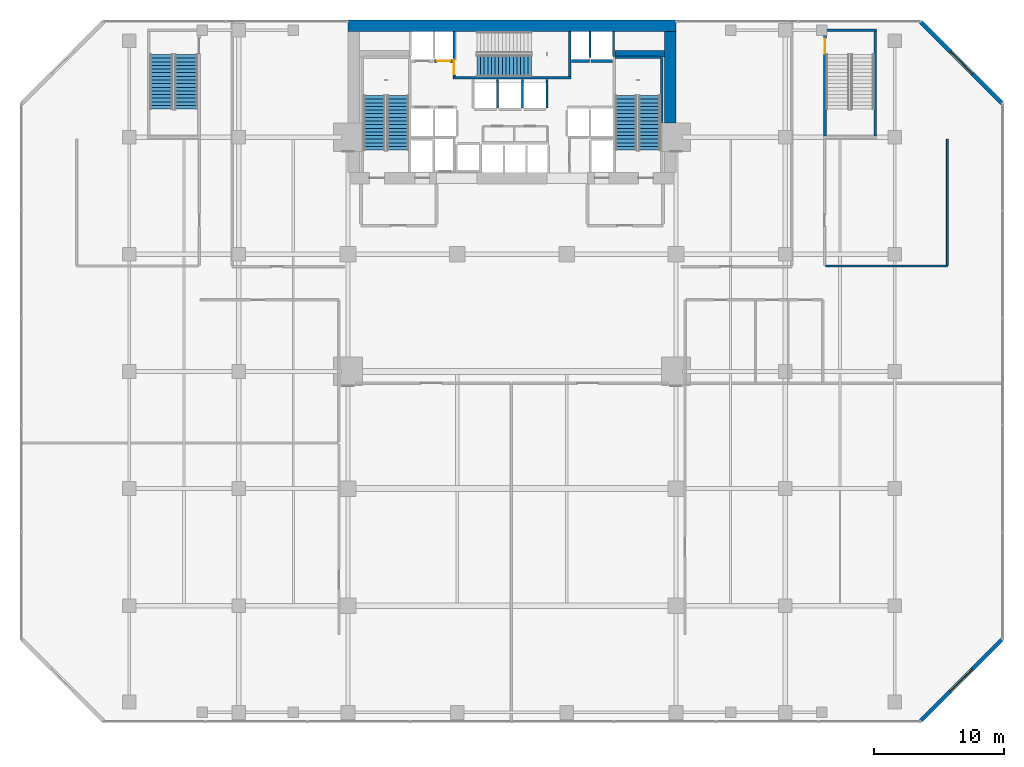
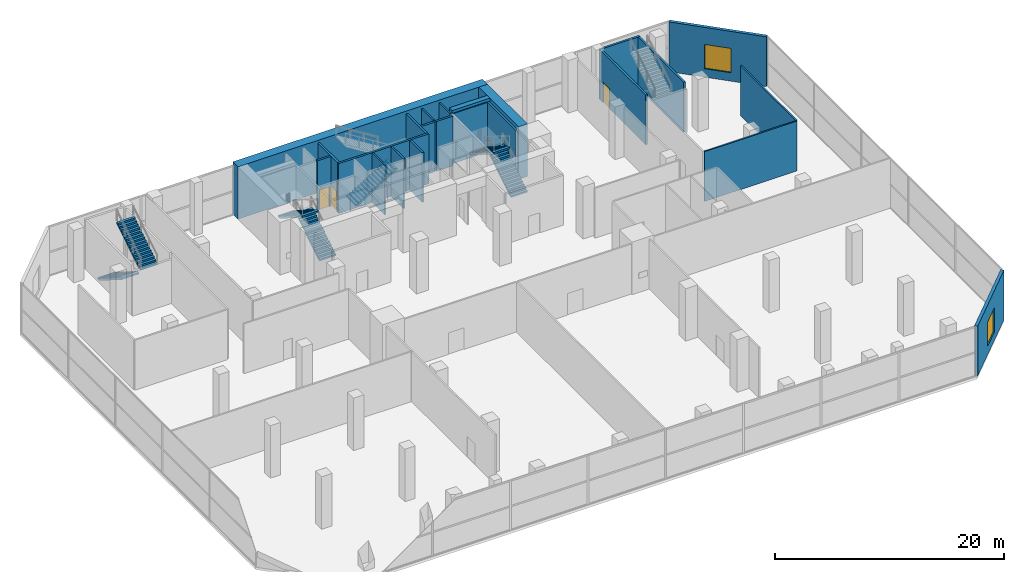
# One storey, part 37 of 40: 23 walls, 7 stair flights, 3 doors, 2 windows, 5 openings, 4 elements without a shape of their own.
"""IFC4 building model written with IfcOpenShell, lengths in metres."""

from ifc_helpers import new_model, si_unit, direction, frame, frame_2d, origin, place, context, subcontext, project, spatial, polyline, rectangle, outline, extrude, material, layer, layer_set, type_object, element, fill, aggregate, save


model = new_model("IFC4")

# Units and contexts
model_context = context("Model", 3, precision=1e-05, world=origin(), true_north=direction((0.0, 1.0)))
body_context = subcontext(model_context, "Body", "Model", "MODEL_VIEW")
ifc_project = project(units=[si_unit("LENGTHUNIT", "METRE"), si_unit("AREAUNIT", "SQUARE_METRE"), si_unit("VOLUMEUNIT", "CUBIC_METRE"), si_unit("PLANEANGLEUNIT", "RADIAN"), si_unit("MASSUNIT", "GRAM", prefix="KILO")], contexts=[model_context])

# Site, building, storey
site_placement = place(None, origin())
site = spatial("IfcSite", under=ifc_project, at=site_placement, CompositionType="ELEMENT")
building_placement = place(site_placement, origin())
building = spatial("IfcBuilding", under=site, at=building_placement, Name="Maruvema Waterfront Hotel and Observation Tower", CompositionType="ELEMENT")
storey_placement = place(building_placement, frame((0.0, 0.0, 10.85009765625)))
storey = spatial("IfcBuildingStorey", under=building, at=storey_placement, Name="L02", CompositionType="ELEMENT", Elevation=10.85009765625)

# Walls
ifc_material_1 = material(Name="Twin-stud acoustic gypsum drywall", Category="gypsum")
ifc_layer_1 = layer(ifc_material_1, 0.14990234375, Name="Acoustic Corridor and Suite Demising Wall 150 mm")
ifc_layer_set_1 = layer_set([ifc_layer_1], Name="Twin-stud acoustic gypsum drywall")
wall_type_1 = type_object("IfcWallType", Name="Acoustic Corridor and Suite Demising Wall 150 mm", PredefinedType="PARTITIONING", material=ifc_layer_set_1)
wall_1_placement = place(storey_placement, frame((61.89990234375, 35.10009765625, 0.0), z_axis=(0.0, 0.0, 1.0), x_axis=(1.0, 0.0, 0.0)))
element("IfcWall", 1, at=wall_1_placement, inside=storey, type_object=wall_type_1, Name="L02 L02 AV South Wall 041", PredefinedType="PARTITIONING", context=body_context, shape_type="SweptSolid", body=[
    extrude(rectangle(XDim=9.35009765625, YDim=0.14990234375, at=frame_2d((4.675048828125, 0.0))), origin(), (0.0, 0.0, 1.0), 5.31982421875),
])
wall_2_placement = place(storey_placement, frame((71.25, 35.14990234375, 0.0), z_axis=(0.0, 0.0, 1.0), x_axis=(0.0, 1.0, 0.0)))
element("IfcWall", 2, at=wall_2_placement, inside=storey, type_object=wall_type_1, Name="L02 L02 AV East Wall 042", PredefinedType="PARTITIONING", context=body_context, shape_type="SweptSolid", body=[
    extrude(rectangle(XDim=9.7001953125, YDim=0.14990234375, at=frame_2d((4.85009765625, 0.0))), origin(), (0.0, 0.0, 1.0), 5.31982421875),
])
ifc_material_2 = material(Name="Precast concrete C45/55", Category="concrete")
ifc_layer_2 = layer(ifc_material_2, 0.199951171875, Name="Core Shaft and Stairwell Enclosure Wall 200 mm")
ifc_layer_set_2 = layer_set([ifc_layer_2], Name="Precast concrete C45/55")
wall_type_2 = type_object("IfcWallType", Name="Core Shaft and Stairwell Enclosure Wall 200 mm", PredefinedType="SOLIDWALL", material=ifc_layer_set_2)
wall_3_placement = place(storey_placement, frame((33.25, 49.550048828125, 0.0), z_axis=(0.0, 0.0, 1.0), x_axis=(1.0, 0.0, 0.0)))
element("IfcWall", 3, at=wall_3_placement, inside=storey, type_object=wall_type_2, Name="L02 Stairwell ST-02 Shaft Wall", PredefinedType="SOLIDWALL", context=body_context, shape_type="SweptSolid", body=[
    extrude(rectangle(XDim=9.10009765625, YDim=0.199951171875, at=frame_2d((4.550048828125, 0.0))), origin(), (0.0, 0.0, 1.0), 5.31982421875),
])
wall_4_placement = place(storey_placement, frame((42.25, 49.64990234375, 0.0), z_axis=(0.0, 0.0, 1.0), x_axis=(0.0, 1.0, 0.0)))
element("IfcWall", 4, at=wall_4_placement, inside=storey, type_object=wall_type_2, Name="L02 Stairwell ST-02 Shaft Wall", PredefinedType="SOLIDWALL", context=body_context, shape_type="SweptSolid", body=[
    extrude(rectangle(XDim=3.4501953125, YDim=0.199951171875, at=frame_2d((1.72509765625, 0.0))), origin(), (0.0, 0.0, 1.0), 5.31982421875),
])

# Wall, opening, door
wall_5_placement = place(storey_placement, frame((33.35009765625, 49.64990234375, 0.0), z_axis=(0.0, 0.0, 1.0), x_axis=(0.0, 1.0, 0.0)))
wall_5 = element("IfcWall", 5, at=wall_5_placement, inside=storey, type_object=wall_type_2, Name="L02 Stairwell ST-02 Shaft Wall", PredefinedType="SOLIDWALL", context=body_context, shape_type="SweptSolid", body=[
    extrude(rectangle(XDim=3.4501953125, YDim=0.199951171875, at=frame_2d((1.72509765625, 0.0))), origin(), (0.0, 0.0, 1.0), 5.31982421875),
])
opening_1_placement = place(wall_5_placement, frame((0.179931640625, 0.0, 0.0)))
opening_1 = element("IfcOpeningElement", 6, at=opening_1_placement, cuts=wall_5, Name="Opening SD-02", PredefinedType="OPENING", context=body_context, shape_type="SweptSolid", body=[
    extrude(rectangle(XDim=1.10009765625, YDim=2.14990234375, at=frame_2d((0.550048828125, 1.074951171875))), frame((0.0, 0.10986328125, 0.0), z_axis=(0.0, -1.0, 0.0), x_axis=(1.0, 0.0, 0.0)), (0.0, 0.0, 1.0), 0.219970703125),
])
ifc_material_3 = material(Name="Fire-rated galvanised steel leaf", Category="steel")
door_type_1 = type_object("IfcDoorType", Name="Central Exit Stair Fire Door 1100x2150 mm", OperationType="NOTDEFINED", PredefinedType="DOOR", material=ifc_material_3)
door_1_placement = place(opening_1_placement, frame((1.10009765625, 0.0, 0.0), z_axis=(0.0, 0.0, 1.0), x_axis=(-1.0, 0.0, 0.0)))
door_1 = element("IfcDoor", 7, at=door_1_placement, inside=storey, type_object=door_type_1, Name="L02 Exit Stair ST-02 Fire Door", OperationType="SINGLE_SWING_LEFT", OverallHeight=2.14990234375, OverallWidth=1.10009765625, PredefinedType="DOOR", context=body_context, shape_type="SweptSolid", body=[
    extrude(rectangle(XDim=1.10009765625, YDim=2.14990234375, at=frame_2d((0.550048828125, 1.074951171875))), frame((0.0, 0.02490234375, 0.0), z_axis=(0.0, -1.0, 0.0), x_axis=(1.0, 0.0, 0.0)), (0.0, 0.0, 1.0), 0.050048828125),
])
fill(opening_1, door_1)

# Walls
wall_6_placement = place(storey_placement, frame((49.300048828125, 46.1201171875, 0.0), z_axis=(0.0, 0.0, 1.0), x_axis=(0.0, 1.0, 0.0)))
element("IfcWall", 8, at=wall_6_placement, inside=storey, type_object=wall_type_2, Name="L02 Stairwell ST-03 Shaft Lining Wall", PredefinedType="SOLIDWALL", context=body_context, shape_type="SweptSolid", body=[
    extrude(rectangle(XDim=5.0, YDim=0.199951171875, at=frame_2d((2.5, 0.0))), origin(), (0.0, 0.0, 1.0), 5.31982421875),
])
wall_7_placement = place(storey_placement, frame((45.719970703125, 51.14990234375, 0.0), z_axis=(0.0, 0.0, 1.0), x_axis=(1.0, 0.0, 0.0)))
element("IfcWall", 9, at=wall_7_placement, inside=storey, type_object=wall_type_2, Name="L02 Stairwell ST-03 Shaft Lining Wall", PredefinedType="SOLIDWALL", context=body_context, shape_type="SweptSolid", body=[
    extrude(rectangle(XDim=3.5, YDim=0.199951171875, at=frame_2d((1.75, 0.0))), origin(), (0.0, 0.0, 1.0), 5.31982421875),
])

# Wall, opening, door
wall_8_placement = place(storey_placement, frame((61.85009765625, 45.10009765625, 0.0), z_axis=(0.0, 0.0, 1.0), x_axis=(0.0, 1.0, 0.0)))
wall_8 = element("IfcWall", 10, at=wall_8_placement, inside=storey, type_object=wall_type_2, Name="L02 Stairwell ST-05 Shaft Wall", PredefinedType="SOLIDWALL", context=body_context, shape_type="SweptSolid", body=[
    extrude(rectangle(XDim=8.099853515625, YDim=0.199951171875, at=frame_2d((4.0498046875, 0.0))), origin(), (0.0, 0.0, 1.0), 5.31982421875),
])
opening_2_placement = place(wall_8_placement, frame((6.320068359375, 0.0, 0.0)))
opening_2 = element("IfcOpeningElement", 11, at=opening_2_placement, cuts=wall_8, Name="Opening SD-01", PredefinedType="OPENING", context=body_context, shape_type="SweptSolid", body=[
    extrude(rectangle(XDim=1.14990234375, YDim=2.14990234375, at=frame_2d((0.574951171875, 1.074951171875))), frame((0.0, 0.10986328125, 0.0), z_axis=(0.0, -1.0, 0.0), x_axis=(1.0, 0.0, 0.0)), (0.0, 0.0, 1.0), 0.219970703125),
])
ifc_material_4 = material(Name="Fire-rated galvanised steel leaf", Category="steel")
door_type_2 = type_object("IfcDoorType", Name="Exit Stair Fire Door 1150x2150 mm", OperationType="NOTDEFINED", PredefinedType="DOOR", material=ifc_material_4)
door_2_placement = place(opening_2_placement, frame((1.14990234375, 0.0, 0.0), z_axis=(0.0, 0.0, 1.0), x_axis=(-1.0, 0.0, 0.0)))
door_2 = element("IfcDoor", 12, at=door_2_placement, inside=storey, type_object=door_type_2, Name="L02 Exit Stair ST-05 Fire Door", OperationType="SINGLE_SWING_LEFT", OverallHeight=2.14990234375, OverallWidth=1.14990234375, PredefinedType="DOOR", context=body_context, shape_type="SweptSolid", body=[
    extrude(rectangle(XDim=1.14990234375, YDim=2.14990234375, at=frame_2d((0.574951171875, 1.074951171875))), frame((0.0, 0.02490234375, 0.0), z_axis=(0.0, -1.0, 0.0), x_axis=(1.0, 0.0, 0.0)), (0.0, 0.0, 1.0), 0.050048828125),
])
fill(opening_2, door_2)

# Walls
wall_9_placement = place(storey_placement, frame((65.699951171875, 45.10009765625, 0.0), z_axis=(0.0, 0.0, 1.0), x_axis=(0.0, 1.0, 0.0)))
element("IfcWall", 13, at=wall_9_placement, inside=storey, type_object=wall_type_2, Name="L02 Stairwell ST-05 Shaft Wall", PredefinedType="SOLIDWALL", context=body_context, shape_type="SweptSolid", body=[
    extrude(rectangle(XDim=8.099853515625, YDim=0.199951171875, at=frame_2d((4.0498046875, 0.0))), origin(), (0.0, 0.0, 1.0), 5.31982421875),
])
wall_10_placement = place(storey_placement, frame((61.75, 53.199951171875, 0.0), z_axis=(0.0, 0.0, 1.0), x_axis=(1.0, 0.0, 0.0)))
element("IfcWall", 14, at=wall_10_placement, inside=storey, type_object=wall_type_2, Name="L02 Stairwell ST-05 Shaft Wall", PredefinedType="SOLIDWALL", context=body_context, shape_type="SweptSolid", body=[
    extrude(rectangle(XDim=4.050048828125, YDim=0.199951171875, at=frame_2d((2.02490234375, 0.0))), origin(), (0.0, 0.0, 1.0), 5.31982421875),
])

# Wall, opening, door
wall_11_placement = place(storey_placement, frame((31.860107421875, 50.85009765625, 0.0), z_axis=(0.0, 0.0, 1.0), x_axis=(1.0, 0.0, 0.0)))
wall_11 = element("IfcWall", 15, at=wall_11_placement, inside=storey, type_object=wall_type_2, Name="L02 Lift LF-04 Hoistway Front Wall", PredefinedType="SOLIDWALL", context=body_context, shape_type="SweptSolid", body=[
    extrude(rectangle(XDim=1.3798828125, YDim=0.199951171875, at=frame_2d((0.68994140625, 0.0))), origin(), (0.0, 0.0, 1.0), 5.31982421875),
])
opening_3_placement = place(wall_11_placement, frame((0.18994140625, 0.0, 0.0)))
opening_3 = element("IfcOpeningElement", 16, at=opening_3_placement, cuts=wall_11, Name="Opening LD-01", PredefinedType="OPENING", context=body_context, shape_type="SweptSolid", body=[
    extrude(rectangle(XDim=1.0, YDim=2.14990234375, at=frame_2d((0.5, 1.074951171875))), frame((0.0, 0.10986328125, 0.0), z_axis=(0.0, -1.0, 0.0), x_axis=(1.0, 0.0, 0.0)), (0.0, 0.0, 1.0), 0.219970703125),
])
ifc_material_5 = material(Name="Brushed stainless steel Grade 316", Category="steel")
door_type_3 = type_object("IfcDoorType", Name="Passenger Lift Sliding Landing Door 1000x2150 mm", OperationType="SLIDING_TO_LEFT", PredefinedType="DOOR", material=ifc_material_5)
door_3_placement = place(opening_3_placement, frame((1.0, 0.0, 0.0), z_axis=(0.0, 0.0, 1.0), x_axis=(-1.0, 0.0, 0.0)))
door_3 = element("IfcDoor", 17, at=door_3_placement, inside=storey, type_object=door_type_3, Name="L02 Lift LF-04 Sliding Landing Door", OperationType="SLIDING_TO_LEFT", OverallHeight=2.14990234375, OverallWidth=1.0, PredefinedType="DOOR", context=body_context, shape_type="SweptSolid", body=[
    extrude(rectangle(XDim=1.0, YDim=2.14990234375, at=frame_2d((0.5, 1.074951171875))), frame((0.0, 0.02490234375, 0.0), z_axis=(0.0, -1.0, 0.0), x_axis=(1.0, 0.0, 0.0)), (0.0, 0.0, 1.0), 0.050048828125),
])
fill(opening_3, door_3)

# Walls
wall_12_placement = place(storey_placement, frame((42.360107421875, 50.85009765625, 0.0), z_axis=(0.0, 0.0, 1.0), x_axis=(1.0, 0.0, 0.0)))
element("IfcWall", 18, at=wall_12_placement, inside=storey, type_object=wall_type_2, Name="L02 Lift LF-07 Hoistway Front Wall", PredefinedType="SOLIDWALL", context=body_context, shape_type="SweptSolid", body=[
    extrude(rectangle(XDim=1.3798828125, YDim=0.199951171875, at=frame_2d((0.68994140625, 0.0))), origin(), (0.0, 0.0, 1.0), 5.31982421875),
])
wall_13_placement = place(storey_placement, frame((43.860107421875, 50.85009765625, 0.0), z_axis=(0.0, 0.0, 1.0), x_axis=(1.0, 0.0, 0.0)))
element("IfcWall", 19, at=wall_13_placement, inside=storey, type_object=wall_type_2, Name="L02 Lift LF-08 Hoistway Front Wall", PredefinedType="SOLIDWALL", context=body_context, shape_type="SweptSolid", body=[
    extrude(rectangle(XDim=1.679931640625, YDim=0.199951171875, at=frame_2d((0.83984375, 0.0))), origin(), (0.0, 0.0, 1.0), 5.31982421875),
])
ifc_material_6 = material(Name="Concrete C70/85", Category="concrete")
ifc_layer_3 = layer(ifc_material_6, 0.5, Name="Core Shear Wall 500 mm")
ifc_layer_set_3 = layer_set([ifc_layer_3], Name="Concrete C70/85")
wall_type_3 = type_object("IfcWallType", Name="Core Shear Wall 500 mm", PredefinedType="SHEAR", material=ifc_layer_set_3)
wall_14_placement = place(storey_placement, frame((45.699951171875, 51.39990234375, 0.0), z_axis=(0.0, 0.0, 1.0), x_axis=(1.0, 0.0, 0.0)))
element("IfcWall", 20, at=wall_14_placement, inside=storey, type_object=wall_type_3, Name="L02 Internal Core Shear Wall NE 500 mm", PredefinedType="SHEAR", context=body_context, shape_type="SweptSolid", body=[
    extrude(rectangle(XDim=3.800048828125, YDim=0.5, at=frame_2d((1.89990234375, 0.0))), origin(), (0.0, 0.0, 1.0), 5.599853515625),
])
ifc_material_7 = material(Name="Concrete C80/95", Category="concrete")
ifc_layer_4 = layer(ifc_material_7, 0.89990234375, Name="Core Shear Wall 900 mm")
ifc_layer_set_4 = layer_set([ifc_layer_4], Name="Concrete C80/95")
wall_type_4 = type_object("IfcWallType", Name="Core Shear Wall 900 mm", PredefinedType="SHEAR", material=ifc_layer_set_4)
wall_15_placement = place(storey_placement, frame((25.199951171875, 53.550048828125, 0.0), z_axis=(0.0, 0.0, 1.0), x_axis=(1.0, 0.0, 0.0)))
element("IfcWall", 21, at=wall_15_placement, inside=storey, type_object=wall_type_4, Name="L02 North Core Shear Wall", PredefinedType="SHEAR", context=body_context, shape_type="SweptSolid", body=[
    extrude(rectangle(XDim=25.199951171875, YDim=0.89990234375, at=frame_2d((12.60009765625, 0.0))), origin(), (0.0, 0.0, 1.0), 5.599853515625),
])
wall_16_placement = place(storey_placement, frame((49.949951171875, 46.10009765625, 0.0), z_axis=(0.0, 0.0, 1.0), x_axis=(0.0, 1.0, 0.0)))
element("IfcWall", 22, at=wall_16_placement, inside=storey, type_object=wall_type_4, Name="L02 East-North Core Shear Wall", PredefinedType="SHEAR", context=body_context, shape_type="SweptSolid", body=[
    extrude(rectangle(XDim=7.0, YDim=0.89990234375, at=frame_2d((3.5, 0.0))), origin(), (0.0, 0.0, 1.0), 5.599853515625),
])
ifc_material_8 = material(Name="Precast concrete C45/55", Category="concrete")
ifc_layer_5 = layer(ifc_material_8, 0.159912109375, Name="Lift Hoistway Divider Wall 160 mm")
ifc_layer_set_5 = layer_set([ifc_layer_5], Name="Precast concrete C45/55")
wall_type_5 = type_object("IfcWallType", Name="Lift Hoistway Divider Wall 160 mm", PredefinedType="SOLIDWALL", material=ifc_layer_set_5)
wall_17_placement = place(storey_placement, frame((45.590087890625, 51.179931640625, 0.0), z_axis=(0.0, 0.0, 1.0), x_axis=(0.0, 1.0, 0.0)))
element("IfcWall", 23, at=wall_17_placement, inside=storey, type_object=wall_type_5, Name="L02 Hoistway Divider Wall", PredefinedType="SOLIDWALL", context=body_context, shape_type="SweptSolid", body=[
    extrude(rectangle(XDim=1.920166015625, YDim=0.159912109375, at=frame_2d((0.9599609375, 0.0))), origin(), (0.0, 0.0, 1.0), 5.31982421875),
])
wall_18_placement = place(storey_placement, frame((43.800048828125, 51.10009765625, 0.0), z_axis=(0.0, 0.0, 1.0), x_axis=(0.0, 1.0, 0.0)))
element("IfcWall", 24, at=wall_18_placement, inside=storey, type_object=wall_type_5, Name="L02 Hoistway Divider Wall", PredefinedType="SOLIDWALL", context=body_context, shape_type="SweptSolid", body=[
    extrude(rectangle(XDim=2.0, YDim=0.159912109375, at=frame_2d((1.0, 0.0))), origin(), (0.0, 0.0, 1.0), 5.31982421875),
])
for number, where, z_axis, x_axis, name in (
    (25, (36.699951171875, 47.25, 0.0), (0.0, 0.0, 1.0), (0.0, 1.0, 0.0), "L02 Hoistway Divider Wall"),
    (26, (38.60009765625, 47.25, 0.0), (0.0, 0.0, 1.0), (0.0, 1.0, 0.0), "L02 Hoistway Divider Wall"),
    (27, (40.5, 47.25, 0.0), (0.0, 0.0, 1.0), (0.0, 1.0, 0.0), "L02 Hoistway Divider Wall"),
):
    element("IfcWall", number, at=place(storey_placement, frame(where, z_axis=z_axis, x_axis=x_axis)), inside=storey, type_object=wall_type_5, Name=name, PredefinedType="SOLIDWALL", context=body_context, shape_type="SweptSolid", body=[
        extrude(rectangle(XDim=2.18994140625, YDim=0.159912109375, at=frame_2d((1.094970703125, 0.0))), origin(), (0.0, 0.0, 1.0), 5.31982421875),
    ])

# Wall, opening, window
ifc_material_9 = material(Name="Precast concrete C45/55 with honed Pernambuco granite facing", Category="masonry")
ifc_layer_6 = layer(ifc_material_9, 0.300048828125, Name="Podium Waterfront Granite Colonnade Wall 300 mm")
ifc_layer_set_6 = layer_set([ifc_layer_6], Name="Precast concrete C45/55 with honed Pernambuco granite facing")
wall_type_6 = type_object("IfcWallType", Name="Podium Waterfront Granite Colonnade Wall 300 mm", PredefinedType="SOLIDWALL", material=ifc_layer_set_6)
wall_19_placement = place(storey_placement, frame((69.199951171875, 0.14990234375, 0.0), z_axis=(0.0, 0.0, 1.0), x_axis=(0.707106781187, 0.707106781187, 0.0)))
wall_19 = element("IfcWall", 28, at=wall_19_placement, inside=storey, type_object=wall_type_6, Name="L02 Podium Chamfer Granite Pier Wall SE", PredefinedType="SOLIDWALL", context=body_context, shape_type="SweptSolid", body=[
    extrude(rectangle(XDim=8.8388671875, YDim=0.300048828125, at=frame_2d((4.41943359375, 0.0))), origin(), (0.0, 0.0, 1.0), 5.31982421875),
])
opening_4_placement = place(wall_19_placement, frame((3.199951171875, 0.0, 0.89990234375)))
opening_4 = element("IfcOpeningElement", 29, at=opening_4_placement, cuts=wall_19, Name="Opening WN-04", PredefinedType="OPENING", context=body_context, shape_type="SweptSolid", body=[
    extrude(rectangle(XDim=2.39990234375, YDim=2.60009765625, at=frame_2d((1.199951171875, 1.300048828125))), frame((0.0, 0.16015625, 0.0), z_axis=(0.0, -1.0, 0.0), x_axis=(1.0, 0.0, 0.0)), (0.0, 0.0, 1.0), 0.320068359375),
])
ifc_material_10 = material(Name="Anodised bronze aluminium frame with laminated low-E glass", Category="aluminium")
window_type = type_object("IfcWindowType", Name="Podium Waterfront Punched Window 2400x2600 mm", PartitioningType="SINGLE_PANEL", PredefinedType="WINDOW", material=ifc_material_10)
window_1_placement = place(opening_4_placement, origin())
window_1 = element("IfcWindow", 30, at=window_1_placement, inside=storey, type_object=window_type, Name="L02 Podium Chamfer Feature Window SE", OverallHeight=2.60009765625, OverallWidth=2.39990234375, PartitioningType="SINGLE_PANEL", PredefinedType="WINDOW", context=body_context, shape_type="SweptSolid", body=[
    extrude(rectangle(XDim=2.39990234375, YDim=2.60009765625, at=frame_2d((1.199951171875, 1.300048828125))), frame((0.0, 0.030029296875, 0.0), z_axis=(0.0, -1.0, 0.0), x_axis=(1.0, 0.0, 0.0)), (0.0, 0.0, 1.0), 0.06005859375),
])
fill(opening_4, window_1)

wall_20_placement = place(storey_placement, frame((75.449951171875, 47.60009765625, 0.0), z_axis=(0.0, 0.0, 1.0), x_axis=(-0.707106781187, 0.707106781187, 0.0)))
wall_20 = element("IfcWall", 31, at=wall_20_placement, inside=storey, type_object=wall_type_6, Name="L02 Podium Chamfer Granite Pier Wall NE", PredefinedType="SOLIDWALL", context=body_context, shape_type="SweptSolid", body=[
    extrude(rectangle(XDim=8.8388671875, YDim=0.300048828125, at=frame_2d((4.41943359375, 0.0))), origin(), (0.0, 0.0, 1.0), 5.31982421875),
])
opening_5_placement = place(wall_20_placement, frame((3.199951171875, 0.0, 0.89990234375)))
opening_5 = element("IfcOpeningElement", 32, at=opening_5_placement, cuts=wall_20, Name="Opening WN-04", PredefinedType="OPENING", context=body_context, shape_type="SweptSolid", body=[
    extrude(rectangle(XDim=2.39990234375, YDim=2.60009765625, at=frame_2d((1.199951171875, 1.300048828125))), frame((0.0, 0.16015625, 0.0), z_axis=(0.0, -1.0, 0.0), x_axis=(1.0, 0.0, 0.0)), (0.0, 0.0, 1.0), 0.320068359375),
])
window_2_placement = place(opening_5_placement, origin())
window_2 = element("IfcWindow", 33, at=window_2_placement, inside=storey, type_object=window_type, Name="L02 Podium Chamfer Feature Window NE", OverallHeight=2.60009765625, OverallWidth=2.39990234375, PartitioningType="SINGLE_PANEL", PredefinedType="WINDOW", context=body_context, shape_type="SweptSolid", body=[
    extrude(rectangle(XDim=2.39990234375, YDim=2.60009765625, at=frame_2d((1.199951171875, 1.300048828125))), frame((0.0, 0.030029296875, 0.0), z_axis=(0.0, -1.0, 0.0), x_axis=(1.0, 0.0, 0.0)), (0.0, 0.0, 1.0), 0.06005859375),
])
fill(opening_5, window_2)

# Stair, stair flights
ifc_material_11 = material(Name="Concrete C50/60", Category="concrete")
stair_type_1 = type_object("IfcStairType", Name="Dogleg Exit Stair 1650 mm (32R x 175.0 mm)", PredefinedType="HALF_TURN_STAIR", material=ifc_material_11)
stair_1_placement = place(storey_placement, origin())
stair_1 = element("IfcStair", 34, at=stair_1_placement, inside=storey, type_object=stair_type_1, Name="L02 ST-01", PredefinedType="HALF_TURN_STAIR")
ifc_material_12 = material(Name="Concrete C50/60", Category="concrete")
stair_flight_type_1 = type_object("IfcStairFlightType", Name="Reinforced Concrete Stair Flight 1650 mm (16R x 175.0 mm)", PredefinedType="STRAIGHT", material=ifc_material_12)
stair_flight_1_placement = place(storey_placement, frame((29.02490234375, 44.0, 0.0), z_axis=(0.0, 0.0, 1.0), x_axis=(0.0, 1.0, 0.0)))
stair_flight_1 = element("IfcStairFlight", 35, at=stair_flight_1_placement, type_object=stair_flight_type_1, Name="ST-01 flight 1", NumberOfRisers=16, NumberOfTreads=15, PredefinedType="STRAIGHT", RiserHeight=0.175, TreadLength=0.28, context=body_context, shape_type="SweptSolid", body=[
    extrude(outline(polyline([(0.0, 0.0), (0.0, 0.175048828125), (0.280029296875, 0.175048828125), (0.280029296875, 0.35009765625), (0.56005859375, 0.35009765625), (0.56005859375, 0.52490234375), (0.840087890625, 0.52490234375), (0.840087890625, 0.699951171875), (1.1201171875, 0.699951171875), (1.1201171875, 0.875), (1.39990234375, 0.875), (1.39990234375, 1.050048828125), (1.679931640625, 1.050048828125), (1.679931640625, 1.22509765625), (1.9599609375, 1.22509765625), (1.9599609375, 1.39990234375), (2.239990234375, 1.39990234375), (2.239990234375, 1.574951171875), (2.52001953125, 1.574951171875), (2.52001953125, 1.75), (2.800048828125, 1.75), (2.800048828125, 1.925048828125), (3.080078125, 1.925048828125), (3.080078125, 2.10009765625), (3.360107421875, 2.10009765625), (3.360107421875, 2.27490234375), (3.639892578125, 2.27490234375), (3.639892578125, 2.449951171875), (3.919921875, 2.449951171875), (3.919921875, 2.625), (4.199951171875, 2.625), (4.199951171875, 2.800048828125), (4.199951171875, 2.4482421875), (0.28271484375, 0.0), (0.0, 0.0)])), frame((0.0, 0.824951171875, 0.0), z_axis=(0.0, -1.0, 0.0), x_axis=(1.0, 0.0, 0.0)), (0.0, 0.0, 1.0), 1.64990234375),
])
stair_flight_2_placement = place(storey_placement, frame((27.22509765625, 48.199951171875, 2.7998046875), z_axis=(0.0, 0.0, 1.0), x_axis=(0.0, -1.0, 0.0)))
stair_flight_2 = element("IfcStairFlight", 36, at=stair_flight_2_placement, type_object=stair_flight_type_1, Name="ST-01 flight 2", NumberOfRisers=16, NumberOfTreads=15, PredefinedType="STRAIGHT", RiserHeight=0.175, TreadLength=0.28, context=body_context, shape_type="SweptSolid", body=[
    extrude(outline(polyline([(0.0, 0.0), (0.0, 0.175048828125), (0.280029296875, 0.175048828125), (0.280029296875, 0.35009765625), (0.56005859375, 0.35009765625), (0.56005859375, 0.52490234375), (0.840087890625, 0.52490234375), (0.840087890625, 0.699951171875), (1.1201171875, 0.699951171875), (1.1201171875, 0.875), (1.39990234375, 0.875), (1.39990234375, 1.050048828125), (1.679931640625, 1.050048828125), (1.679931640625, 1.22509765625), (1.9599609375, 1.22509765625), (1.9599609375, 1.39990234375), (2.239990234375, 1.39990234375), (2.239990234375, 1.574951171875), (2.52001953125, 1.574951171875), (2.52001953125, 1.75), (2.800048828125, 1.75), (2.800048828125, 1.925048828125), (3.080078125, 1.925048828125), (3.080078125, 2.10009765625), (3.360107421875, 2.10009765625), (3.360107421875, 2.27490234375), (3.639892578125, 2.27490234375), (3.639892578125, 2.449951171875), (3.919921875, 2.449951171875), (3.919921875, 2.625), (4.199951171875, 2.625), (4.199951171875, 2.800048828125), (4.199951171875, 2.4482421875), (0.28271484375, 0.0), (0.0, 0.0)])), frame((0.0, 0.824951171875, 0.0), z_axis=(0.0, -1.0, 0.0), x_axis=(1.0, 0.0, 0.0)), (0.0, 0.0, 1.0), 1.64990234375),
])
aggregate(stair_1, [stair_flight_1, stair_flight_2])

# Stair, stair flight
stair_2_placement = place(storey_placement, origin())
stair_2 = element("IfcStair", 37, at=stair_2_placement, inside=storey, type_object=stair_type_1, Name="L02 ST-02", PredefinedType="HALF_TURN_STAIR")
stair_flight_3_placement = place(storey_placement, frame((35.10009765625, 50.47509765625, 0.0), z_axis=(0.0, 0.0, 1.0), x_axis=(1.0, 0.0, 0.0)))
stair_flight_3 = element("IfcStairFlight", 38, at=stair_flight_3_placement, type_object=stair_flight_type_1, Name="ST-02 flight 1", NumberOfRisers=16, NumberOfTreads=15, PredefinedType="STRAIGHT", RiserHeight=0.175, TreadLength=0.28, context=body_context, shape_type="SweptSolid", body=[
    extrude(outline(polyline([(0.0, 0.0), (0.0, 0.175048828125), (0.280029296875, 0.175048828125), (0.280029296875, 0.35009765625), (0.56005859375, 0.35009765625), (0.56005859375, 0.52490234375), (0.840087890625, 0.52490234375), (0.840087890625, 0.699951171875), (1.1201171875, 0.699951171875), (1.1201171875, 0.875), (1.39990234375, 0.875), (1.39990234375, 1.050048828125), (1.679931640625, 1.050048828125), (1.679931640625, 1.22509765625), (1.9599609375, 1.22509765625), (1.9599609375, 1.39990234375), (2.239990234375, 1.39990234375), (2.239990234375, 1.574951171875), (2.52001953125, 1.574951171875), (2.52001953125, 1.75), (2.800048828125, 1.75), (2.800048828125, 1.925048828125), (3.080078125, 1.925048828125), (3.080078125, 2.10009765625), (3.360107421875, 2.10009765625), (3.360107421875, 2.27490234375), (3.639892578125, 2.27490234375), (3.639892578125, 2.449951171875), (3.919921875, 2.449951171875), (3.919921875, 2.625), (4.199951171875, 2.625), (4.199951171875, 2.800048828125), (4.199951171875, 2.4482421875), (0.28271484375, 0.0), (0.0, 0.0)])), frame((0.0, 0.824951171875, 0.0), z_axis=(0.0, -1.0, 0.0), x_axis=(1.0, 0.0, 0.0)), (0.0, 0.0, 1.0), 1.64990234375),
])
aggregate(stair_2, [stair_flight_3])

# Stair, stair flights
stair_3_placement = place(storey_placement, origin())
stair_3 = element("IfcStair", 39, at=stair_3_placement, inside=storey, type_object=stair_type_1, Name="L02 ST-03", PredefinedType="HALF_TURN_STAIR")
stair_flight_4_placement = place(storey_placement, frame((48.375, 44.0, 0.0), z_axis=(0.0, 0.0, 1.0), x_axis=(0.0, 1.0, 0.0)))
stair_flight_4 = element("IfcStairFlight", 40, at=stair_flight_4_placement, type_object=stair_flight_type_1, Name="ST-03 flight 1", NumberOfRisers=16, NumberOfTreads=15, PredefinedType="STRAIGHT", RiserHeight=0.175, TreadLength=0.28, context=body_context, shape_type="SweptSolid", body=[
    extrude(outline(polyline([(0.0, 0.0), (0.0, 0.175048828125), (0.280029296875, 0.175048828125), (0.280029296875, 0.35009765625), (0.56005859375, 0.35009765625), (0.56005859375, 0.52490234375), (0.840087890625, 0.52490234375), (0.840087890625, 0.699951171875), (1.1201171875, 0.699951171875), (1.1201171875, 0.875), (1.39990234375, 0.875), (1.39990234375, 1.050048828125), (1.679931640625, 1.050048828125), (1.679931640625, 1.22509765625), (1.9599609375, 1.22509765625), (1.9599609375, 1.39990234375), (2.239990234375, 1.39990234375), (2.239990234375, 1.574951171875), (2.52001953125, 1.574951171875), (2.52001953125, 1.75), (2.800048828125, 1.75), (2.800048828125, 1.925048828125), (3.080078125, 1.925048828125), (3.080078125, 2.10009765625), (3.360107421875, 2.10009765625), (3.360107421875, 2.27490234375), (3.639892578125, 2.27490234375), (3.639892578125, 2.449951171875), (3.919921875, 2.449951171875), (3.919921875, 2.625), (4.199951171875, 2.625), (4.199951171875, 2.800048828125), (4.199951171875, 2.4482421875), (0.28271484375, 0.0), (0.0, 0.0)])), frame((0.0, 0.824951171875, 0.0), z_axis=(0.0, -1.0, 0.0), x_axis=(1.0, 0.0, 0.0)), (0.0, 0.0, 1.0), 1.64990234375),
])
stair_flight_5_placement = place(storey_placement, frame((46.574951171875, 48.199951171875, 2.7998046875), z_axis=(0.0, 0.0, 1.0), x_axis=(0.0, -1.0, 0.0)))
stair_flight_5 = element("IfcStairFlight", 41, at=stair_flight_5_placement, type_object=stair_flight_type_1, Name="ST-03 flight 2", NumberOfRisers=16, NumberOfTreads=15, PredefinedType="STRAIGHT", RiserHeight=0.175, TreadLength=0.28, context=body_context, shape_type="SweptSolid", body=[
    extrude(outline(polyline([(0.0, 0.0), (0.0, 0.175048828125), (0.280029296875, 0.175048828125), (0.280029296875, 0.35009765625), (0.56005859375, 0.35009765625), (0.56005859375, 0.52490234375), (0.840087890625, 0.52490234375), (0.840087890625, 0.699951171875), (1.1201171875, 0.699951171875), (1.1201171875, 0.875), (1.39990234375, 0.875), (1.39990234375, 1.050048828125), (1.679931640625, 1.050048828125), (1.679931640625, 1.22509765625), (1.9599609375, 1.22509765625), (1.9599609375, 1.39990234375), (2.239990234375, 1.39990234375), (2.239990234375, 1.574951171875), (2.52001953125, 1.574951171875), (2.52001953125, 1.75), (2.800048828125, 1.75), (2.800048828125, 1.925048828125), (3.080078125, 1.925048828125), (3.080078125, 2.10009765625), (3.360107421875, 2.10009765625), (3.360107421875, 2.27490234375), (3.639892578125, 2.27490234375), (3.639892578125, 2.449951171875), (3.919921875, 2.449951171875), (3.919921875, 2.625), (4.199951171875, 2.625), (4.199951171875, 2.800048828125), (4.199951171875, 2.4482421875), (0.28271484375, 0.0), (0.0, 0.0)])), frame((0.0, 0.824951171875, 0.0), z_axis=(0.0, -1.0, 0.0), x_axis=(1.0, 0.0, 0.0)), (0.0, 0.0, 1.0), 1.64990234375),
])
aggregate(stair_3, [stair_flight_4, stair_flight_5])

ifc_material_13 = material(Name="Concrete C50/60", Category="concrete")
stair_type_2 = type_object("IfcStairType", Name="Dogleg Exit Stair 1750 mm (32R x 175.0 mm)", PredefinedType="HALF_TURN_STAIR", material=ifc_material_13)
stair_4_placement = place(storey_placement, origin())
stair_4 = element("IfcStair", 42, at=stair_4_placement, inside=storey, type_object=stair_type_2, Name="L02 ST-04", PredefinedType="HALF_TURN_STAIR")
ifc_material_14 = material(Name="Concrete C50/60", Category="concrete")
stair_flight_type_2 = type_object("IfcStairFlightType", Name="Reinforced Concrete Stair Flight 1750 mm (16R x 175.0 mm)", PredefinedType="STRAIGHT", material=ifc_material_14)
stair_flight_6_placement = place(storey_placement, frame((10.875, 51.35009765625, 0.0), z_axis=(0.0, 0.0, 1.0), x_axis=(0.0, -1.0, 0.0)))
stair_flight_6 = element("IfcStairFlight", 43, at=stair_flight_6_placement, type_object=stair_flight_type_2, Name="ST-04 flight 1", NumberOfRisers=16, NumberOfTreads=15, PredefinedType="STRAIGHT", RiserHeight=0.175, TreadLength=0.28, context=body_context, shape_type="SweptSolid", body=[
    extrude(outline(polyline([(0.0, 0.0), (0.0, 0.175048828125), (0.280029296875, 0.175048828125), (0.280029296875, 0.35009765625), (0.56005859375, 0.35009765625), (0.56005859375, 0.52490234375), (0.840087890625, 0.52490234375), (0.840087890625, 0.699951171875), (1.1201171875, 0.699951171875), (1.1201171875, 0.875), (1.39990234375, 0.875), (1.39990234375, 1.050048828125), (1.679931640625, 1.050048828125), (1.679931640625, 1.22509765625), (1.9599609375, 1.22509765625), (1.9599609375, 1.39990234375), (2.239990234375, 1.39990234375), (2.239990234375, 1.574951171875), (2.52001953125, 1.574951171875), (2.52001953125, 1.75), (2.800048828125, 1.75), (2.800048828125, 1.925048828125), (3.080078125, 1.925048828125), (3.080078125, 2.10009765625), (3.360107421875, 2.10009765625), (3.360107421875, 2.27490234375), (3.639892578125, 2.27490234375), (3.639892578125, 2.449951171875), (3.919921875, 2.449951171875), (3.919921875, 2.625), (4.199951171875, 2.625), (4.199951171875, 2.800048828125), (4.199951171875, 2.4482421875), (0.28271484375, 0.0), (0.0, 0.0)])), frame((0.0, 0.875, 0.0), z_axis=(0.0, -1.0, 0.0), x_axis=(1.0, 0.0, 0.0)), (0.0, 0.0, 1.0), 1.75),
])
stair_flight_7_placement = place(storey_placement, frame((12.77490234375, 47.14990234375, 2.7998046875), z_axis=(0.0, 0.0, 1.0), x_axis=(0.0, 1.0, 0.0)))
stair_flight_7 = element("IfcStairFlight", 44, at=stair_flight_7_placement, type_object=stair_flight_type_2, Name="ST-04 flight 2", NumberOfRisers=16, NumberOfTreads=15, PredefinedType="STRAIGHT", RiserHeight=0.175, TreadLength=0.28, context=body_context, shape_type="SweptSolid", body=[
    extrude(outline(polyline([(0.0, 0.0), (0.0, 0.175048828125), (0.280029296875, 0.175048828125), (0.280029296875, 0.35009765625), (0.56005859375, 0.35009765625), (0.56005859375, 0.52490234375), (0.840087890625, 0.52490234375), (0.840087890625, 0.699951171875), (1.1201171875, 0.699951171875), (1.1201171875, 0.875), (1.39990234375, 0.875), (1.39990234375, 1.050048828125), (1.679931640625, 1.050048828125), (1.679931640625, 1.22509765625), (1.9599609375, 1.22509765625), (1.9599609375, 1.39990234375), (2.239990234375, 1.39990234375), (2.239990234375, 1.574951171875), (2.52001953125, 1.574951171875), (2.52001953125, 1.75), (2.800048828125, 1.75), (2.800048828125, 1.925048828125), (3.080078125, 1.925048828125), (3.080078125, 2.10009765625), (3.360107421875, 2.10009765625), (3.360107421875, 2.27490234375), (3.639892578125, 2.27490234375), (3.639892578125, 2.449951171875), (3.919921875, 2.449951171875), (3.919921875, 2.625), (4.199951171875, 2.625), (4.199951171875, 2.800048828125), (4.199951171875, 2.4482421875), (0.28271484375, 0.0), (0.0, 0.0)])), frame((0.0, 0.875, 0.0), z_axis=(0.0, -1.0, 0.0), x_axis=(1.0, 0.0, 0.0)), (0.0, 0.0, 1.0), 1.75),
])
aggregate(stair_4, [stair_flight_6, stair_flight_7])

save(model, "model.ifc")
